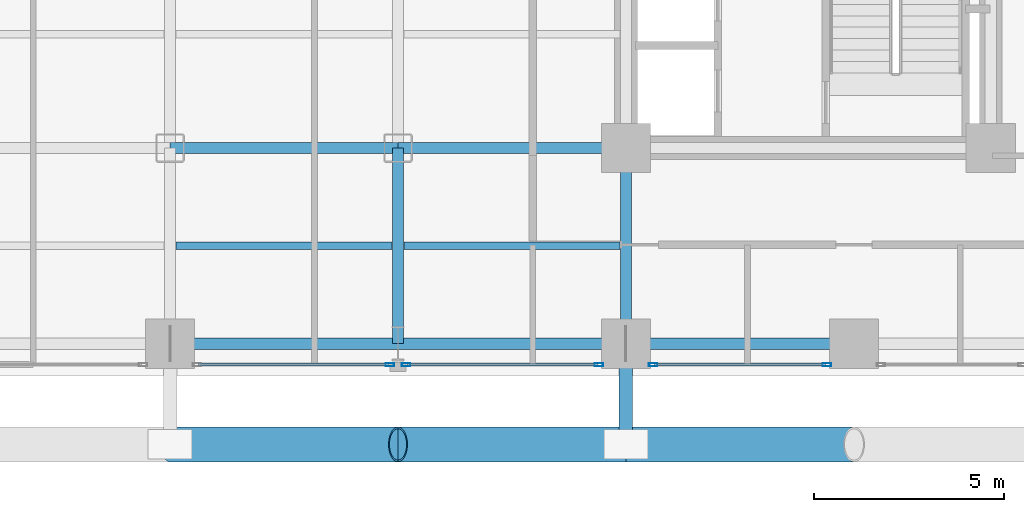
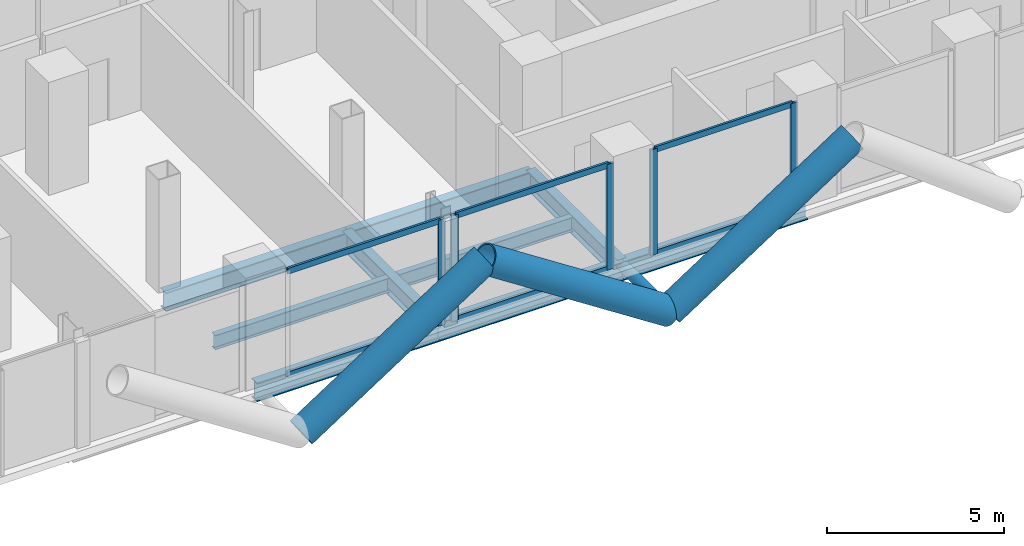
# One storey, part 3 of 27: 15 members, 9 beams, 3 elements without a shape of their own.
"""IFC4 building model written with IfcOpenShell, lengths in metres."""

from ifc_helpers import new_model, si_unit, direction, frame, origin, origin_2d, place, context, subcontext, project, spatial, hollow_rectangle, hollow_circle, i_section, extrude, material, layer, layer_set, material_profile, profile_set, type_object, element, aggregate, save


model = new_model("IFC4")

# Units and contexts
model_context = context("Model", 3, precision=1e-05, world=origin(), true_north=direction((0.0, 1.0)))
body_context = subcontext(model_context, "Body", "Model", "MODEL_VIEW")
ifc_project = project(units=[si_unit("LENGTHUNIT", "METRE"), si_unit("AREAUNIT", "SQUARE_METRE"), si_unit("VOLUMEUNIT", "CUBIC_METRE"), si_unit("PLANEANGLEUNIT", "RADIAN"), si_unit("MASSUNIT", "GRAM", prefix="KILO"), si_unit("THERMODYNAMICTEMPERATUREUNIT", "KELVIN"), si_unit("POWERUNIT", "WATT")], contexts=[model_context])

# Site, building, storey
site_placement = place(None, origin())
site = spatial("IfcSite", under=ifc_project, at=site_placement, CompositionType="ELEMENT")
building_placement = place(site_placement, origin())
building = spatial("IfcBuilding", under=site, at=building_placement, Name="Svarakhadi Broadcast Tower", CompositionType="ELEMENT")
storey_placement = place(building_placement, frame((0.0, 0.0, 59.699951171875)))
storey = spatial("IfcBuildingStorey", under=building, at=storey_placement, Name="L13", CompositionType="ELEMENT", Elevation=59.699951171875)

# Beams
ifc_material_1 = material(Name="Steel S355J2 (IS 2062 E350C)", Category="steel")
ifc_material_profile_1 = material_profile(ifc_material_1, i_section(OverallWidth=0.199951171875, OverallDepth=0.5, WebThickness=0.01025390625, FlangeThickness=0.01611328125, FilletRadius=0.02099609375, at=origin_2d()), Name="NPB 500x200x91")
ifc_profile_set_1 = profile_set([ifc_material_profile_1], Name="Steel S355J2 (IS 2062 E350C)")
beam_type_1 = type_object("IfcBeamType", Name="Beam_NPB500", PredefinedType="BEAM", material=ifc_profile_set_1)
for number, where, z_axis, x_axis, name in (
    (1, (12.159912109375, 3.425048828125, -0.5), (1.0, 0.0, 0.0), (0.0, 1.0, 0.0), "L13 Secondary Composite Beam SB013"),
    (2, (18.159912109375, 3.425048828125, -0.5), (1.0, 0.0, 0.0), (0.0, 1.0, 0.0), "L13 Secondary Composite Beam SB019"),
):
    element("IfcBeam", number, at=place(storey_placement, frame(where, z_axis=z_axis, x_axis=x_axis)), inside=storey, type_object=beam_type_1, Name=name, PredefinedType="BEAM", context=body_context, shape_type="SweptSolid", body=[
        extrude(i_section(OverallWidth=0.199951171875, OverallDepth=0.5, WebThickness=0.01025390625, FlangeThickness=0.01611328125, FilletRadius=0.02099609375, at=origin_2d()), origin(), (0.0, 0.0, 1.0), 5.68017578125),
    ])

# Curtain wall, members
ifc_material_2 = material(Name="Anodised Bronze Aluminium AA 6063-T6", Category="aluminium")
ifc_layer = layer(ifc_material_2, 0.219970703125)
ifc_layer_set = layer_set([ifc_layer], Name="Anodised Bronze Aluminium AA 6063-T6")
curtain_wall_type = type_object("IfcCurtainWallType", Name="CW_Sys_02", PredefinedType="NOTDEFINED", material=ifc_layer_set)
curtain_wall_1_placement = place(storey_placement, origin())
curtain_wall_1 = element("IfcCurtainWall", 3, at=curtain_wall_1_placement, inside=storey, type_object=curtain_wall_type, Name="L13 South Curtain Wall 17 Bay 3", PredefinedType="NOTDEFINED")
ifc_material_profile_2 = material_profile(ifc_material_2, hollow_rectangle(XDim=0.0849609375, YDim=0.219970703125, WallThickness=0.006103515625, at=origin_2d()), Name="ALU MULLION 220x85x6")
ifc_profile_set_2 = profile_set([ifc_material_profile_2], Name="Anodised Bronze Aluminium AA 6063-T6")
member_type_1 = type_object("IfcMemberType", Name="CW_Sys_02_Mul", PredefinedType="MULLION", material=ifc_profile_set_2)
member_1_placement = place(storey_placement, frame((29.28759765625, 0.300048828125, 0.0), z_axis=(0.0, 0.0, 1.0), x_axis=(0.0, -1.0, 0.0)))
member_1 = element("IfcMember", 4, at=member_1_placement, type_object=member_type_1, Name="CW-02 mullion 1", PredefinedType="MULLION", context=body_context, shape_type="SweptSolid", body=[
    extrude(hollow_rectangle(XDim=0.0849609375, YDim=0.219970703125, WallThickness=0.006103515625, at=origin_2d()), origin(), (0.0, 0.0, 1.0), 3.650146484375),
])
member_2_placement = place(storey_placement, frame((24.71240234375, 0.300048828125, 0.0), z_axis=(0.0, 0.0, 1.0), x_axis=(0.0, -1.0, 0.0)))
member_2 = element("IfcMember", 5, at=member_2_placement, type_object=member_type_1, Name="CW-02 mullion 2", PredefinedType="MULLION", context=body_context, shape_type="SweptSolid", body=[
    extrude(hollow_rectangle(XDim=0.0849609375, YDim=0.219970703125, WallThickness=0.006103515625, at=origin_2d()), origin(), (0.0, 0.0, 1.0), 3.650146484375),
])

curtain_wall_2_placement = place(storey_placement, origin())
curtain_wall_2 = element("IfcCurtainWall", 6, at=curtain_wall_2_placement, inside=storey, type_object=curtain_wall_type, Name="L13 South Curtain Wall 17 Bay 4", PredefinedType="NOTDEFINED")
member_3_placement = place(storey_placement, frame((23.28759765625, 0.300048828125, 0.0), z_axis=(0.0, 0.0, 1.0), x_axis=(0.0, -1.0, 0.0)))
member_3 = element("IfcMember", 7, at=member_3_placement, type_object=member_type_1, Name="CW-02 mullion 1", PredefinedType="MULLION", context=body_context, shape_type="SweptSolid", body=[
    extrude(hollow_rectangle(XDim=0.0849609375, YDim=0.219970703125, WallThickness=0.006103515625, at=origin_2d()), origin(), (0.0, 0.0, 1.0), 3.650146484375),
])
member_4_placement = place(storey_placement, frame((18.21240234375, 0.300048828125, 0.0), z_axis=(0.0, 0.0, 1.0), x_axis=(0.0, -1.0, 0.0)))
member_4 = element("IfcMember", 8, at=member_4_placement, type_object=member_type_1, Name="CW-02 mullion 2", PredefinedType="MULLION", context=body_context, shape_type="SweptSolid", body=[
    extrude(hollow_rectangle(XDim=0.0849609375, YDim=0.219970703125, WallThickness=0.006103515625, at=origin_2d()), origin(), (0.0, 0.0, 1.0), 3.650146484375),
])

# Curtain wall, member
curtain_wall_3_placement = place(storey_placement, origin())
curtain_wall_3 = element("IfcCurtainWall", 9, at=curtain_wall_3_placement, inside=storey, type_object=curtain_wall_type, Name="L13 South Curtain Wall 17 Bay 5", PredefinedType="NOTDEFINED")
member_5_placement = place(storey_placement, frame((17.78759765625, 0.300048828125, 0.0), z_axis=(0.0, 0.0, 1.0), x_axis=(0.0, -1.0, 0.0)))
member_5 = element("IfcMember", 10, at=member_5_placement, type_object=member_type_1, Name="CW-02 mullion 1", PredefinedType="MULLION", context=body_context, shape_type="SweptSolid", body=[
    extrude(hollow_rectangle(XDim=0.0849609375, YDim=0.219970703125, WallThickness=0.006103515625, at=origin_2d()), origin(), (0.0, 0.0, 1.0), 3.650146484375),
])

# Member
ifc_material_profile_3 = material_profile(ifc_material_2, hollow_rectangle(XDim=0.074951171875, YDim=0.199951171875, WallThickness=0.0048828125, at=origin_2d()), Name="ALU TRANSOM 200x75x5")
ifc_profile_set_3 = profile_set([ifc_material_profile_3], Name="Anodised Bronze Aluminium AA 6063-T6")
member_type_2 = type_object("IfcMemberType", Name="CW_Sys_02_Trn", PredefinedType="USERDEFINED", material=ifc_profile_set_3)
member_6_placement = place(storey_placement, frame((29.2451171875, 0.300048828125, 0.03759765625), z_axis=(-1.0, 0.0, 0.0), x_axis=(0.0, -1.0, 0.0)))
member_6 = element("IfcMember", 11, at=member_6_placement, type_object=member_type_2, Name="CW-02 transom 1.1", ObjectType="TRANSOM", PredefinedType="USERDEFINED", context=body_context, shape_type="SweptSolid", body=[
    extrude(hollow_rectangle(XDim=0.074951171875, YDim=0.199951171875, WallThickness=0.0048828125, at=origin_2d()), origin(), (0.0, 0.0, 1.0), 4.490234375),
])

member_7_placement = place(storey_placement, frame((29.2451171875, 0.300048828125, 3.612548828125), z_axis=(-1.0, 0.0, 0.0), x_axis=(0.0, -1.0, 0.0)))
member_7 = element("IfcMember", 12, at=member_7_placement, type_object=member_type_2, Name="CW-02 transom 1.2", ObjectType="TRANSOM", PredefinedType="USERDEFINED", context=body_context, shape_type="SweptSolid", body=[
    extrude(hollow_rectangle(XDim=0.074951171875, YDim=0.199951171875, WallThickness=0.0048828125, at=origin_2d()), origin(), (0.0, 0.0, 1.0), 4.490234375),
])

aggregate(curtain_wall_1, [member_1, member_2, member_6, member_7])

member_8_placement = place(storey_placement, frame((23.2451171875, 0.300048828125, 0.03759765625), z_axis=(-1.0, 0.0, 0.0), x_axis=(0.0, -1.0, 0.0)))
member_8 = element("IfcMember", 13, at=member_8_placement, type_object=member_type_2, Name="CW-02 transom 1.1", ObjectType="TRANSOM", PredefinedType="USERDEFINED", context=body_context, shape_type="SweptSolid", body=[
    extrude(hollow_rectangle(XDim=0.074951171875, YDim=0.199951171875, WallThickness=0.0048828125, at=origin_2d()), origin(), (0.0, 0.0, 1.0), 4.990234375),
])

member_9_placement = place(storey_placement, frame((23.2451171875, 0.300048828125, 3.612548828125), z_axis=(-1.0, 0.0, 0.0), x_axis=(0.0, -1.0, 0.0)))
member_9 = element("IfcMember", 14, at=member_9_placement, type_object=member_type_2, Name="CW-02 transom 1.2", ObjectType="TRANSOM", PredefinedType="USERDEFINED", context=body_context, shape_type="SweptSolid", body=[
    extrude(hollow_rectangle(XDim=0.074951171875, YDim=0.199951171875, WallThickness=0.0048828125, at=origin_2d()), origin(), (0.0, 0.0, 1.0), 4.990234375),
])

aggregate(curtain_wall_2, [member_3, member_4, member_8, member_9])

member_10_placement = place(storey_placement, frame((17.7451171875, 0.300048828125, 0.03759765625), z_axis=(-1.0, 0.0, 0.0), x_axis=(0.0, -1.0, 0.0)))
member_10 = element("IfcMember", 15, at=member_10_placement, type_object=member_type_2, Name="CW-02 transom 1.1", ObjectType="TRANSOM", PredefinedType="USERDEFINED", context=body_context, shape_type="SweptSolid", body=[
    extrude(hollow_rectangle(XDim=0.074951171875, YDim=0.199951171875, WallThickness=0.0048828125, at=origin_2d()), origin(), (0.0, 0.0, 1.0), 4.990234375),
])

member_11_placement = place(storey_placement, frame((17.7451171875, 0.300048828125, 3.612548828125), z_axis=(-1.0, 0.0, 0.0), x_axis=(0.0, -1.0, 0.0)))
member_11 = element("IfcMember", 16, at=member_11_placement, type_object=member_type_2, Name="CW-02 transom 1.2", ObjectType="TRANSOM", PredefinedType="USERDEFINED", context=body_context, shape_type="SweptSolid", body=[
    extrude(hollow_rectangle(XDim=0.074951171875, YDim=0.199951171875, WallThickness=0.0048828125, at=origin_2d()), origin(), (0.0, 0.0, 1.0), 4.990234375),
])

aggregate(curtain_wall_3, [member_5, member_10, member_11])

# Members
ifc_material_3 = material(Name="Steel S460ML (IS 2062 E450BR)", Category="steel")
ifc_material_profile_4 = material_profile(ifc_material_3, hollow_circle(Radius=0.45703125, WallThickness=0.044921875, at=origin_2d()), Name="CHS 914x45")
ifc_profile_set_4 = profile_set([ifc_material_profile_4], Name="Steel S460ML (IS 2062 E450BR)")
member_type_3 = type_object("IfcMemberType", Name="Exo_Brace_CHS914", PredefinedType="BRACE", material=ifc_profile_set_4)
for number, where, z_axis, x_axis, name in (
    (17, (12.0, -1.800048828125, -0.427734375), (0.838449851971, 0.0, 0.544978757136), (0.0, 1.0, 0.0), "L13 Exposed Bronze Exoskeleton Diagonal S02"),
    (18, (24.0, -1.800048828125, -0.427734375), (-0.838449851971, 0.0, 0.544978757136), (0.0, -1.0, 0.0), "L13 Exposed Bronze Exoskeleton Diagonal S03"),
    (19, (24.0, -1.800048828125, -0.427734375), (0.838449851971, 0.0, 0.544978757136), (0.0, 1.0, 0.0), "L13 Exposed Bronze Exoskeleton Diagonal S04"),
):
    element("IfcMember", number, at=place(storey_placement, frame(where, z_axis=z_axis, x_axis=x_axis)), inside=storey, type_object=member_type_3, Name=name, PredefinedType="BRACE", context=body_context, shape_type="SweptSolid", body=[
        extrude(hollow_circle(Radius=0.45703125, WallThickness=0.044921875, at=origin_2d()), origin(), (0.0, 0.0, 1.0), 7.156005859375),
    ])
ifc_material_profile_5 = material_profile(ifc_material_3, hollow_circle(Radius=0.177734375, WallThickness=0.02001953125, at=origin_2d()), Name="CHS 355.6x20")
ifc_profile_set_5 = profile_set([ifc_material_profile_5], Name="Steel S460ML (IS 2062 E450BR)")
member_type_4 = type_object("IfcMemberType", Name="Exo_Radial_Strut_Z1", PredefinedType="STRUT", material=ifc_profile_set_5)
member_12_placement = place(storey_placement, frame((24.0, -1.800048828125, -0.427734375), z_axis=(0.0, 1.0, 0.0), x_axis=(-1.0, 0.0, 0.0)))
element("IfcMember", 20, at=member_12_placement, inside=storey, type_object=member_type_4, Name="L13 Exoskeleton Radial Tie Strut S02", PredefinedType="STRUT", context=body_context, shape_type="SweptSolid", body=[
    extrude(hollow_circle(Radius=0.177734375, WallThickness=0.02001953125, at=origin_2d()), origin(), (0.0, 0.0, 1.0), 2.650146484375),
])

# Beams
ifc_material_profile_6 = material_profile(ifc_material_1, i_section(OverallWidth=0.300048828125, OverallDepth=0.64990234375, WebThickness=0.01611328125, FlangeThickness=0.031005859375, FilletRadius=0.027099609375, at=origin_2d()), Name="WPB 650x300x225")
ifc_profile_set_6 = profile_set([ifc_material_profile_6], Name="Steel S355J2 (IS 2062 E350C)")
beam_type_2 = type_object("IfcBeamType", Name="Girder_WPB650", PredefinedType="USERDEFINED", material=ifc_profile_set_6)
for number, where, z_axis, x_axis, name in (
    (21, (12.0, 0.85009765625, -0.574951171875), (1.0, 0.0, 0.0), (0.0, 1.0, 0.0), "L13 Primary E-W Girder G005"),
    (22, (18.0, 0.85009765625, -0.574951171875), (1.0, 0.0, 0.0), (0.0, 1.0, 0.0), "L13 Primary E-W Girder G006"),
    (23, (24.0, 0.85009765625, -0.574951171875), (1.0, 0.0, 0.0), (0.0, 1.0, 0.0), "L13 Primary E-W Girder G007"),
    (24, (12.0, 6.0, -0.574951171875), (1.0, 0.0, 0.0), (0.0, 1.0, 0.0), "L13 Primary E-W Girder G013"),
    (25, (18.0, 6.0, -0.574951171875), (1.0, 0.0, 0.0), (0.0, 1.0, 0.0), "L13 Primary E-W Girder G014"),
):
    element("IfcBeam", number, at=place(storey_placement, frame(where, z_axis=z_axis, x_axis=x_axis)), inside=storey, type_object=beam_type_2, Name=name, ObjectType="GIRDER", PredefinedType="USERDEFINED", context=body_context, shape_type="SweptSolid", body=[
        extrude(i_section(OverallWidth=0.300048828125, OverallDepth=0.64990234375, WebThickness=0.01611328125, FlangeThickness=0.031005859375, FilletRadius=0.027099609375, at=origin_2d()), origin(), (0.0, 0.0, 1.0), 6.0),
    ])
for number, where, z_axis, x_axis, name in (
    (26, (18.0, 0.85009765625, -0.574951171875), (0.0, 1.0, 0.0), (-1.0, 0.0, 0.0), "L13 Primary N-S Girder G064"),
    (27, (24.0, 0.85009765625, -0.574951171875), (0.0, 1.0, 0.0), (-1.0, 0.0, 0.0), "L13 Primary N-S Girder G071"),
):
    element("IfcBeam", number, at=place(storey_placement, frame(where, z_axis=z_axis, x_axis=x_axis)), inside=storey, type_object=beam_type_2, Name=name, ObjectType="GIRDER", PredefinedType="USERDEFINED", context=body_context, shape_type="SweptSolid", body=[
        extrude(i_section(OverallWidth=0.300048828125, OverallDepth=0.64990234375, WebThickness=0.01611328125, FlangeThickness=0.031005859375, FilletRadius=0.027099609375, at=origin_2d()), origin(), (0.0, 0.0, 1.0), 5.14990234375),
    ])

save(model, "model.ifc")
